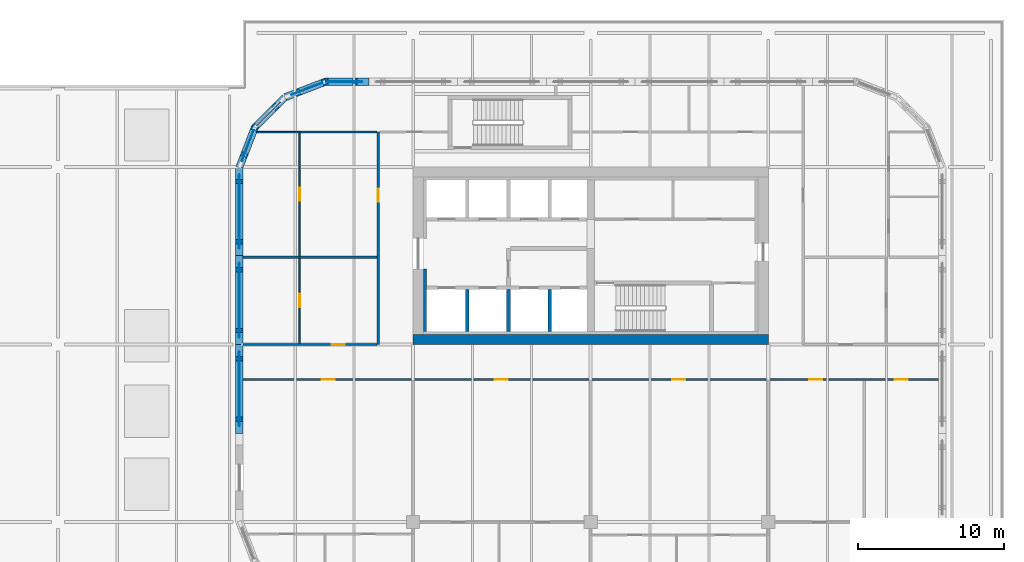
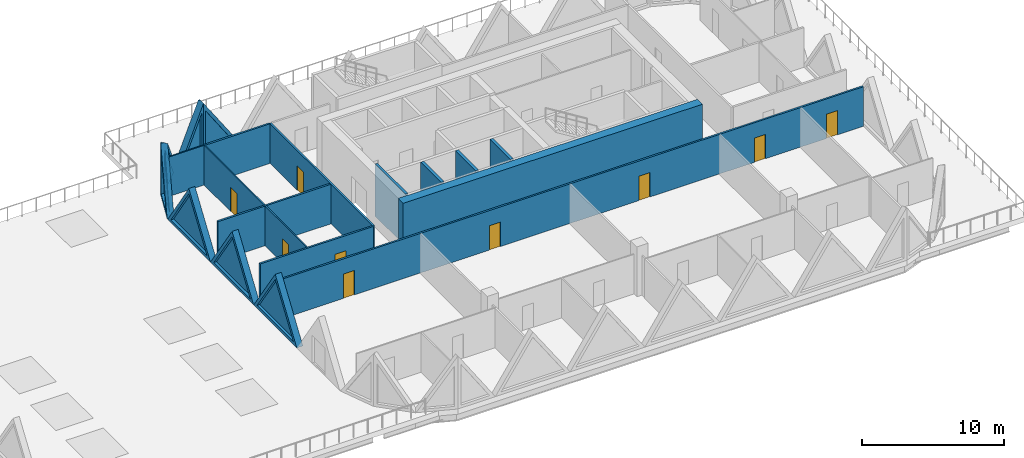
# One storey, part 14 of 21: 20 walls, 9 doors, 7 plates, 16 openings.
"""IFC4 building model written with IfcOpenShell, lengths in metres."""

from ifc_helpers import new_model, si_unit, direction, frame, frame_2d, origin, place, context, subcontext, project, spatial, polyline, rectangle, outline, extrude, faceted_brep, source, transform, mapped, material, layer, layer_set, type_object, element, fill, save


model = new_model("IFC4")

# Units and contexts
model_context = context("Model", 3, precision=1e-05, world=origin(), true_north=direction((0.0, 1.0)))
body_context = subcontext(model_context, "Body", "Model", "MODEL_VIEW")
ifc_project = project(units=[si_unit("LENGTHUNIT", "METRE"), si_unit("AREAUNIT", "SQUARE_METRE"), si_unit("VOLUMEUNIT", "CUBIC_METRE"), si_unit("PLANEANGLEUNIT", "RADIAN"), si_unit("MASSUNIT", "GRAM", prefix="KILO")], contexts=[model_context])

# Site, building, storey
site_placement = place(None, origin())
site = spatial("IfcSite", under=ifc_project, at=site_placement, CompositionType="ELEMENT")
building_placement = place(site_placement, origin())
building = spatial("IfcBuilding", under=site, at=building_placement, Name="Tessera Gate Towers", CompositionType="ELEMENT")
storey_placement = place(building_placement, frame((0.0, 0.0, 16.800048828125)))
storey = spatial("IfcBuildingStorey", under=building, at=storey_placement, Name="L03", CompositionType="ELEMENT", Elevation=16.800048828125)

# Walls
ifc_material_1 = material(Name="Concrete C40/50", Category="concrete")
ifc_layer_1 = layer(ifc_material_1, 0.25)
ifc_layer_set_1 = layer_set([ifc_layer_1], Name="CORE ENCLOSURE WALL 250")
wall_type_1 = type_object("IfcWallType", Name="CORE ENCLOSURE WALL 250", PredefinedType="SOLIDWALL", material=ifc_layer_set_1)
for number, where, z_axis, x_axis, name in (
    (1, (104.14990234375, 37.5, 0.0), (0.0, 0.0, 1.0), (0.0, 1.0, 0.0), "L03 shaft and stair enclosure wall"),
    (2, (101.324951171875, 37.5, 0.0), (0.0, 0.0, 1.0), (0.0, 1.0, 0.0), "L03 shaft and stair enclosure wall"),
    (3, (106.97509765625, 37.5, 0.0), (0.0, 0.0, 1.0), (0.0, 1.0, 0.0), "L03 shaft and stair enclosure wall"),
):
    element("IfcWall", number, at=place(storey_placement, frame(where, z_axis=z_axis, x_axis=x_axis)), inside=storey, type_object=wall_type_1, Name=name, PredefinedType="SOLIDWALL", context=body_context, shape_type="SweptSolid", body=[
        extrude(rectangle(XDim=2.875, YDim=0.25, at=frame_2d((1.4375, 0.0))), origin(), (0.0, 0.0, 1.0), 4.5),
    ])
ifc_material_2 = material(Name="Concrete C60/75", Category="concrete")
ifc_layer_2 = layer(ifc_material_2, 0.699951171875)
ifc_layer_set_2 = layer_set([ifc_layer_2], Name="CORE SHEAR WALL 700 C60/75")
wall_type_2 = type_object("IfcWallType", Name="CORE SHEAR WALL 700 C60/75", PredefinedType="SHEAR", material=ifc_layer_set_2)
wall_1_placement = place(storey_placement, frame((122.0, 36.949951171875, 0.0), z_axis=(0.0, 0.0, 1.0), x_axis=(-1.0, 0.0, 0.0)))
element("IfcWall", 4, at=wall_1_placement, inside=storey, type_object=wall_type_2, Name="Core wall S L03", PredefinedType="SHEAR", context=body_context, shape_type="SweptSolid", body=[
    extrude(rectangle(XDim=24.39990234375, YDim=0.699951171875, at=frame_2d((12.199951171875, 0.0))), origin(), (0.0, 0.0, 1.0), 4.5),
])
ifc_material_3 = material(Name="Concrete C60/75", Category="concrete")
ifc_layer_3 = layer(ifc_material_3, 0.199951171875)
ifc_layer_set_3 = layer_set([ifc_layer_3], Name="CORE WALL THICKENING 200")
wall_type_3 = type_object("IfcWallType", Name="CORE WALL THICKENING 200", PredefinedType="SOLIDWALL", material=ifc_layer_set_3)
wall_2_placement = place(storey_placement, frame((98.39990234375, 37.5, 0.0), z_axis=(0.0, 0.0, 1.0), x_axis=(0.0, 1.0, 0.0)))
element("IfcWall", 5, at=wall_2_placement, inside=storey, type_object=wall_type_3, Name="Core wall thickening W L03", PredefinedType="SOLIDWALL", context=body_context, shape_type="SweptSolid", body=[
    extrude(rectangle(XDim=4.300048828125, YDim=0.199951171875, at=frame_2d((2.14990234375, 0.0))), origin(), (0.0, 0.0, 1.0), 4.5),
])

# Wall, openings, doors
ifc_material_4 = material(Name="Gypsum board on steel studs, mineral wool", Category="steel")
ifc_layer_4 = layer(ifc_material_4, 0.14990234375)
ifc_layer_set_4 = layer_set([ifc_layer_4], Name="CORRIDOR WALL 150")
wall_type_4 = type_object("IfcWallType", Name="CORRIDOR WALL 150", PredefinedType="PARTITIONING", material=ifc_layer_set_4)
wall_3_placement = place(storey_placement, frame((133.699951171875, 34.199951171875, 0.0), z_axis=(0.0, 0.0, 1.0), x_axis=(-1.0, 0.0, 0.0)))
wall_3 = element("IfcWall", 6, at=wall_3_placement, inside=storey, type_object=wall_type_4, Name="T2-L03-PW-022", PredefinedType="PARTITIONING", context=body_context, shape_type="SweptSolid", body=[
    extrude(rectangle(XDim=47.800048828125, YDim=0.14990234375, at=frame_2d((23.89990234375, 0.0))), origin(), (0.0, 0.0, 1.0), 3.4150390625),
])
shared_shape_1 = source(origin(), body_context, "Body", "SweptSolid", [
    extrude(rectangle(XDim=0.89990234375, YDim=2.10009765625, at=frame_2d((0.449951171875, 1.050048828125))), frame((0.0, 0.0849609375, 0.0), z_axis=(0.0, -1.0, 0.0), x_axis=(1.0, 0.0, 0.0)), (0.0, 0.0, 1.0), 0.169921875),
])
opening_1_placement = place(wall_3_placement, frame((2.09912109375, 0.0, 0.0)))
opening_1 = element("IfcOpeningElement", 7, at=opening_1_placement, cuts=wall_3, Name="Opening D890FD60-B01-01", PredefinedType="OPENING", context=body_context, shape_type="MappedRepresentation", body=[
    mapped(shared_shape_1, transform((0.0, 0.0, 0.0), scale=1.0)),
])
opening_2_placement = place(wall_3_placement, frame((7.9990234375, 0.0, 0.0)))
opening_2 = element("IfcOpeningElement", 8, at=opening_2_placement, cuts=wall_3, Name="Opening D890FD60-B01-02", PredefinedType="OPENING", context=body_context, shape_type="MappedRepresentation", body=[
    mapped(shared_shape_1, transform((0.0, 0.0, 0.0), scale=1.0)),
])
opening_3_placement = place(wall_3_placement, frame((41.5, 0.0, 0.0)))
opening_3 = element("IfcOpeningElement", 9, at=opening_3_placement, cuts=wall_3, Name="Opening D890FD60-B01-09", PredefinedType="OPENING", context=body_context, shape_type="MappedRepresentation", body=[
    mapped(shared_shape_1, transform((0.0, 0.0, 0.0), scale=1.0)),
])
opening_4_placement = place(wall_3_placement, frame((17.39892578125, 0.0, 0.0)))
opening_4 = element("IfcOpeningElement", 10, at=opening_4_placement, cuts=wall_3, Name="Opening D890FD60-B01-10", PredefinedType="OPENING", context=body_context, shape_type="MappedRepresentation", body=[
    mapped(shared_shape_1, transform((0.0, 0.0, 0.0), scale=1.0)),
])
opening_5_placement = place(wall_3_placement, frame((29.60009765625, 0.0, 0.0)))
opening_5 = element("IfcOpeningElement", 11, at=opening_5_placement, cuts=wall_3, Name="Opening D890FD60-B01-11", PredefinedType="OPENING", context=body_context, shape_type="MappedRepresentation", body=[
    mapped(shared_shape_1, transform((0.0, 0.0, 0.0), scale=1.0)),
])
ifc_material_5 = material(Name="Timber door leaf in steel frame", Category="steel")
door_type_1 = type_object("IfcDoorType", Name="CORRIDOR DOOR 900 FD60", OperationType="NOTDEFINED", PredefinedType="DOOR", material=ifc_material_5)
shared_shape_2 = source(origin(), body_context, "Body", "SweptSolid", [
    extrude(rectangle(XDim=0.89990234375, YDim=2.10009765625, at=frame_2d((0.449951171875, 1.050048828125))), frame((0.0, 0.02490234375, 0.0), z_axis=(0.0, -1.0, 0.0), x_axis=(1.0, 0.0, 0.0)), (0.0, 0.0, 1.0), 0.050048828125),
])
door_1_placement = place(opening_1_placement, origin())
door_1 = element("IfcDoor", 12, at=door_1_placement, inside=storey, type_object=door_type_1, Name="T2-L03-PD-004", OperationType="SINGLE_SWING_RIGHT", OverallHeight=2.10009765625, OverallWidth=0.89990234375, PredefinedType="DOOR", context=body_context, shape_type="MappedRepresentation", body=[
    mapped(shared_shape_2, transform((0.0, 0.0, 0.0), scale=1.0)),
])
fill(opening_1, door_1)
door_2_placement = place(opening_2_placement, origin())
door_2 = element("IfcDoor", 13, at=door_2_placement, inside=storey, type_object=door_type_1, Name="T2-L03-PD-014", OperationType="SINGLE_SWING_RIGHT", OverallHeight=2.10009765625, OverallWidth=0.89990234375, PredefinedType="DOOR", context=body_context, shape_type="MappedRepresentation", body=[
    mapped(shared_shape_2, transform((0.0, 0.0, 0.0), scale=1.0)),
])
fill(opening_2, door_2)
door_3_placement = place(opening_3_placement, origin())
door_3 = element("IfcDoor", 14, at=door_3_placement, inside=storey, type_object=door_type_1, Name="T2-L03-PD-023", OperationType="SINGLE_SWING_RIGHT", OverallHeight=2.10009765625, OverallWidth=0.89990234375, PredefinedType="DOOR", context=body_context, shape_type="MappedRepresentation", body=[
    mapped(shared_shape_2, transform((0.0, 0.0, 0.0), scale=1.0)),
])
fill(opening_3, door_3)
door_4_placement = place(opening_4_placement, origin())
door_4 = element("IfcDoor", 15, at=door_4_placement, inside=storey, type_object=door_type_1, Name="T2-L03-PD-024", OperationType="SINGLE_SWING_RIGHT", OverallHeight=2.10009765625, OverallWidth=0.89990234375, PredefinedType="DOOR", context=body_context, shape_type="MappedRepresentation", body=[
    mapped(shared_shape_2, transform((0.0, 0.0, 0.0), scale=1.0)),
])
fill(opening_4, door_4)
door_5_placement = place(opening_5_placement, origin())
door_5 = element("IfcDoor", 16, at=door_5_placement, inside=storey, type_object=door_type_1, Name="T2-L03-PD-025", OperationType="SINGLE_SWING_RIGHT", OverallHeight=2.10009765625, OverallWidth=0.89990234375, PredefinedType="DOOR", context=body_context, shape_type="MappedRepresentation", body=[
    mapped(shared_shape_2, transform((0.0, 0.0, 0.0), scale=1.0)),
])
fill(opening_5, door_5)

# Wall, opening, door
wall_4_placement = place(storey_placement, frame((85.89990234375, 36.60009765625, 0.0), z_axis=(0.0, 0.0, 1.0), x_axis=(1.0, 0.0, 0.0)))
wall_4 = element("IfcWall", 17, at=wall_4_placement, inside=storey, type_object=wall_type_4, Name="T2-L03-PW-023", PredefinedType="PARTITIONING", context=body_context, shape_type="SweptSolid", body=[
    extrude(rectangle(XDim=9.22412109375, YDim=0.14990234375, at=frame_2d((4.612060546875, 0.0))), origin(), (0.0, 0.0, 1.0), 3.4150390625),
])
opening_6_placement = place(wall_4_placement, frame((6.10009765625, 0.0, 0.0)))
opening_6 = element("IfcOpeningElement", 18, at=opening_6_placement, cuts=wall_4, Name="Opening D890FD60-B01-07", PredefinedType="OPENING", context=body_context, shape_type="MappedRepresentation", body=[
    mapped(shared_shape_1, transform((0.0, 0.0, 0.0), scale=1.0)),
])
door_6_placement = place(opening_6_placement, origin())
door_6 = element("IfcDoor", 19, at=door_6_placement, inside=storey, type_object=door_type_1, Name="T2-L03-PD-021", OperationType="SINGLE_SWING_LEFT", OverallHeight=2.10009765625, OverallWidth=0.89990234375, PredefinedType="DOOR", context=body_context, shape_type="MappedRepresentation", body=[
    mapped(shared_shape_2, transform((0.0, 0.0, 0.0), scale=1.0)),
])
fill(opening_6, door_6)

wall_5_placement = place(storey_placement, frame((95.199951171875, 36.60009765625, 0.0), z_axis=(0.0, 0.0, 1.0), x_axis=(0.0, 1.0, 0.0)))
wall_5 = element("IfcWall", 20, at=wall_5_placement, inside=storey, type_object=wall_type_4, Name="T2-L03-PW-024", PredefinedType="PARTITIONING", context=body_context, shape_type="SweptSolid", body=[
    extrude(rectangle(XDim=14.599853515625, YDim=0.14990234375, at=frame_2d((7.2998046875, 0.0))), origin(), (0.0, 0.0, 1.0), 3.4150390625),
])
opening_7_placement = place(wall_5_placement, frame((9.800048828125, 0.0, 0.0)))
opening_7 = element("IfcOpeningElement", 21, at=opening_7_placement, cuts=wall_5, Name="Opening D890FD60-B01-05", PredefinedType="OPENING", context=body_context, shape_type="MappedRepresentation", body=[
    mapped(shared_shape_1, transform((0.0, 0.0, 0.0), scale=1.0)),
])
door_7_placement = place(opening_7_placement, origin())
door_7 = element("IfcDoor", 22, at=door_7_placement, inside=storey, type_object=door_type_1, Name="T2-L03-PD-019", OperationType="SINGLE_SWING_LEFT", OverallHeight=2.10009765625, OverallWidth=0.89990234375, PredefinedType="DOOR", context=body_context, shape_type="MappedRepresentation", body=[
    mapped(shared_shape_2, transform((0.0, 0.0, 0.0), scale=1.0)),
])
fill(opening_7, door_7)

ifc_material_6 = material(Name="Glass", Category="glass")
ifc_layer_5 = layer(ifc_material_6, 0.10009765625)
ifc_layer_set_5 = layer_set([ifc_layer_5], Name="GLAZED PARTITION 100")
wall_type_5 = type_object("IfcWallType", Name="GLAZED PARTITION 100", PredefinedType="PARTITIONING", material=ifc_layer_set_5)
wall_6_placement = place(storey_placement, frame((89.800048828125, 36.676025390625, 0.0), z_axis=(0.0, 0.0, 1.0), x_axis=(0.0, 1.0, 0.0)))
wall_6 = element("IfcWall", 23, at=wall_6_placement, inside=storey, type_object=wall_type_5, Name="T2-L03-PW-027", PredefinedType="PARTITIONING", context=body_context, shape_type="SweptSolid", body=[
    extrude(rectangle(XDim=5.847900390625, YDim=0.10009765625, at=frame_2d((2.923828125, 0.0))), origin(), (0.0, 0.0, 1.0), 3.4150390625),
])
shared_shape_3 = source(origin(), body_context, "Body", "SweptSolid", [
    extrude(rectangle(XDim=0.89990234375, YDim=2.10009765625, at=frame_2d((0.449951171875, 1.050048828125))), frame((0.0, 0.06005859375, 0.0), z_axis=(0.0, -1.0, 0.0), x_axis=(1.0, 0.0, 0.0)), (0.0, 0.0, 1.0), 0.1201171875),
])
opening_8_placement = place(wall_6_placement, frame((2.5, 0.0, 0.0)))
opening_8 = element("IfcOpeningElement", 24, at=opening_8_placement, cuts=wall_6, Name="Opening D690-B01-04", PredefinedType="OPENING", context=body_context, shape_type="MappedRepresentation", body=[
    mapped(shared_shape_3, transform((0.0, 0.0, 0.0), scale=1.0)),
])
ifc_material_7 = material(Name="Glass in aluminium frame", Category="aluminium")
door_type_2 = type_object("IfcDoorType", Name="GLAZED DOOR 900 NOT RATED", OperationType="NOTDEFINED", PredefinedType="DOOR", material=ifc_material_7)
door_8_placement = place(opening_8_placement, origin())
door_8 = element("IfcDoor", 25, at=door_8_placement, inside=storey, type_object=door_type_2, Name="T2-L03-PD-009", OperationType="SINGLE_SWING_LEFT", OverallHeight=2.10009765625, OverallWidth=0.89990234375, PredefinedType="DOOR", context=body_context, shape_type="MappedRepresentation", body=[
    mapped(shared_shape_2, transform((0.0, 0.0, 0.0), scale=1.0)),
])
fill(opening_8, door_8)

wall_7_placement = place(storey_placement, frame((89.800048828125, 42.676025390625, 0.0), z_axis=(0.0, 0.0, 1.0), x_axis=(0.0, 1.0, 0.0)))
wall_7 = element("IfcWall", 26, at=wall_7_placement, inside=storey, type_object=wall_type_5, Name="T2-L03-PW-032", PredefinedType="PARTITIONING", context=body_context, shape_type="SweptSolid", body=[
    extrude(rectangle(XDim=8.447998046875, YDim=0.10009765625, at=frame_2d((4.22412109375, 0.0))), origin(), (0.0, 0.0, 1.0), 3.4150390625),
])
opening_9_placement = place(wall_7_placement, frame((3.800048828125, 0.0, 0.0)))
opening_9 = element("IfcOpeningElement", 27, at=opening_9_placement, cuts=wall_7, Name="Opening D690-B01-07", PredefinedType="OPENING", context=body_context, shape_type="MappedRepresentation", body=[
    mapped(shared_shape_3, transform((0.0, 0.0, 0.0), scale=1.0)),
])
door_9_placement = place(opening_9_placement, origin())
door_9 = element("IfcDoor", 28, at=door_9_placement, inside=storey, type_object=door_type_2, Name="T2-L03-PD-018", OperationType="SINGLE_SWING_LEFT", OverallHeight=2.10009765625, OverallWidth=0.89990234375, PredefinedType="DOOR", context=body_context, shape_type="MappedRepresentation", body=[
    mapped(shared_shape_2, transform((0.0, 0.0, 0.0), scale=1.0)),
])
fill(opening_9, door_9)

# Walls
wall_8_placement = place(storey_placement, frame((86.86181640625, 51.199951171875, 0.0), z_axis=(0.0, 0.0, 1.0), x_axis=(1.0, 0.0, 0.0)))
element("IfcWall", 29, at=wall_8_placement, inside=storey, type_object=wall_type_5, Name="T2-L03-PW-035", PredefinedType="PARTITIONING", context=body_context, shape_type="SweptSolid", body=[
    extrude(rectangle(XDim=2.937255859375, YDim=0.10009765625, at=frame_2d((1.46875, 0.0))), origin(), (0.0, 0.0, 1.0), 3.4150390625),
])
ifc_material_8 = material(Name="Gypsum board on steel studs, mineral wool", Category="steel")
ifc_layer_6 = layer(ifc_material_8, 0.14990234375)
ifc_layer_set_6 = layer_set([ifc_layer_6], Name="TENANCY WALL 150")
wall_type_6 = type_object("IfcWallType", Name="TENANCY WALL 150", PredefinedType="PARTITIONING", material=ifc_layer_set_6)
wall_9_placement = place(storey_placement, frame((85.89990234375, 42.60009765625, 0.0), z_axis=(0.0, 0.0, 1.0), x_axis=(1.0, 0.0, 0.0)))
element("IfcWall", 30, at=wall_9_placement, inside=storey, type_object=wall_type_6, Name="T2-L03-PW-029", PredefinedType="PARTITIONING", context=body_context, shape_type="SweptSolid", body=[
    extrude(rectangle(XDim=9.22412109375, YDim=0.14990234375, at=frame_2d((4.612060546875, 0.0))), origin(), (0.0, 0.0, 1.0), 3.4150390625),
])
wall_10_placement = place(storey_placement, frame((89.800048828125, 51.199951171875, 0.0), z_axis=(0.0, 0.0, 1.0), x_axis=(1.0, 0.0, 0.0)))
element("IfcWall", 31, at=wall_10_placement, inside=storey, type_object=wall_type_6, Name="T2-L03-PW-036", PredefinedType="PARTITIONING", context=body_context, shape_type="SweptSolid", body=[
    extrude(rectangle(XDim=5.323974609375, YDim=0.14990234375, at=frame_2d((2.662109375, 0.0))), origin(), (0.0, 0.0, 1.0), 3.4150390625),
])

# Wall, opening, plate
ifc_material_9 = material(Name="Precast concrete C60/75 white", Category="concrete")
ifc_layer_7 = layer(ifc_material_9, 0.5)
ifc_layer_set_7 = layer_set([ifc_layer_7], Name="TS2 half tessera")
wall_type_7 = type_object("IfcWallType", Name="TS2 half tessera", PredefinedType="SOLIDWALL", material=ifc_layer_set_7)
shared_shape_4 = source(origin(), body_context, "Body", "Brep", [
    faceted_brep([(6.099853515625, -0.25, 0.000244140625), (3.050048828125, -0.25, 4.5), (0.0, -0.25, 0.0), (6.099853515625, -0.25, 0.0), (0.0, 0.25, 0.0), (3.050048828125, 0.25, 4.5), (6.099853515625, 0.25, 0.000244140625), (6.099853515625, 0.25, 0.0)], [[[0, 1, 2, 3]], [[4, 5, 6, 7]], [[6, 5, 1, 0]], [[5, 4, 2, 1]], [[4, 7, 3, 2]], [[3, 7, 6, 0]]]),
])
wall_11_placement = place(storey_placement, frame((85.64990234375, 42.699951171875, 0.0), z_axis=(0.0, 0.0, 1.0), x_axis=(0.0, -1.0, 0.0)))
wall_11 = element("IfcWall", 32, at=wall_11_placement, inside=storey, type_object=wall_type_7, Name="Precast half tessera T2 TS2-0016", PredefinedType="SOLIDWALL", context=body_context, shape_type="MappedRepresentation", body=[
    mapped(shared_shape_4, transform((0.0, 0.0, 0.0), scale=1.0)),
])
shared_shape_5 = source(origin(), body_context, "Body", "SweptSolid", [
    extrude(outline(polyline([(5.628662109375, 0.25), (3.050048828125, 4.054443359375), (0.471435546875, 0.25), (5.628662109375, 0.25)])), frame((0.0, 0.260009765625, 0.0), z_axis=(0.0, -1.0, 0.0), x_axis=(1.0, 0.0, 0.0)), (0.0, 0.0, 1.0), 0.52001953125),
])
opening_10_placement = place(wall_11_placement, origin())
opening_10 = element("IfcOpeningElement", 33, at=opening_10_placement, cuts=wall_11, Name="Opening T2-PL1-0030", PredefinedType="OPENING", context=body_context, shape_type="MappedRepresentation", body=[
    mapped(shared_shape_5, transform((0.0, 0.0, 0.0), scale=1.0)),
])
ifc_material_10 = material(Name="Low-e laminated glass", Category="glass")
ifc_layer_8 = layer(ifc_material_10, 0.06005859375)
ifc_layer_set_8 = layer_set([ifc_layer_8], Name="PL1 triangular pane")
plate_type = type_object("IfcPlateType", Name="PL1 triangular pane", PredefinedType="SHEET", material=ifc_layer_set_8)
shared_shape_6 = source(origin(), body_context, "Body", "SweptSolid", [
    extrude(outline(polyline([(5.628662109375, 0.25), (3.050048828125, 4.054443359375), (0.471435546875, 0.25), (5.628662109375, 0.25)])), frame((0.0, 0.030029296875, 0.0), z_axis=(0.0, -1.0, 0.0), x_axis=(1.0, 0.0, 0.0)), (0.0, 0.0, 1.0), 0.06005859375),
])
plate_1_placement = place(opening_10_placement, origin())
plate_1 = element("IfcPlate", 34, at=plate_1_placement, inside=storey, type_object=plate_type, Name="Glass pane T2 PL1-0030", PredefinedType="SHEET", context=body_context, shape_type="MappedRepresentation", body=[
    mapped(shared_shape_6, transform((0.0, 0.0, 0.0), scale=1.0)),
])
fill(opening_10, plate_1)

shared_shape_7 = source(origin(), body_context, "Body", "SweptSolid", [
    extrude(outline(polyline([(6.10009765625, 0.0), (3.050048828125, 4.5), (0.0, 0.0), (6.10009765625, 0.0)])), frame((0.0, 0.25, 0.0), z_axis=(0.0, -1.0, 0.0), x_axis=(1.0, 0.0, 0.0)), (0.0, 0.0, 1.0), 0.5),
])
wall_12_placement = place(storey_placement, frame((85.64990234375, 36.60009765625, 0.0), z_axis=(0.0, 0.0, 1.0), x_axis=(0.0, -1.0, 0.0)))
wall_12 = element("IfcWall", 35, at=wall_12_placement, inside=storey, type_object=wall_type_7, Name="Precast half tessera T2 TS2-0017", PredefinedType="SOLIDWALL", context=body_context, shape_type="MappedRepresentation", body=[
    mapped(shared_shape_7, transform((0.0, 0.0, 0.0), scale=1.0)),
])
opening_11_placement = place(wall_12_placement, origin())
opening_11 = element("IfcOpeningElement", 36, at=opening_11_placement, cuts=wall_12, Name="Opening T2-PL1-0031", PredefinedType="OPENING", context=body_context, shape_type="MappedRepresentation", body=[
    mapped(shared_shape_5, transform((0.0, 0.0, 0.0), scale=1.0)),
])
plate_2_placement = place(opening_11_placement, origin())
plate_2 = element("IfcPlate", 37, at=plate_2_placement, inside=storey, type_object=plate_type, Name="Glass pane T2 PL1-0031", PredefinedType="SHEET", context=body_context, shape_type="MappedRepresentation", body=[
    mapped(shared_shape_6, transform((0.0, 0.0, 0.0), scale=1.0)),
])
fill(opening_11, plate_2)

ifc_material_11 = material(Name="Precast concrete C60/75 white", Category="concrete")
ifc_layer_9 = layer(ifc_material_11, 0.5)
ifc_layer_set_9 = layer_set([ifc_layer_9], Name="TS3 corner tessera")
wall_type_8 = type_object("IfcWallType", Name="TS3 corner tessera", PredefinedType="SOLIDWALL", material=ifc_layer_set_9)
shared_shape_8 = source(origin(), body_context, "Body", "Brep", [
    faceted_brep([(3.050048828125, -0.25, 4.428955078125), (3.00341796875, -0.25, 4.5), (0.0, -0.25, 0.0), (3.050048828125, -0.25, 0.0), (0.0, 0.25, 0.0), (2.956787109375, 0.25, 4.430419921875), (2.956787109375, 0.25, 0.0), (3.00341796875, 0.000244140625, 4.5)], [[[0, 1, 2, 3]], [[4, 5, 6]], [[7, 1, 0]], [[5, 4, 2, 1, 7]], [[4, 6, 3, 2]], [[3, 6, 5, 7, 0]]]),
])
wall_13_placement = place(storey_placement, frame((94.550048828125, 54.64990234375, 0.0), z_axis=(0.0, 0.0, 1.0), x_axis=(-1.0, 0.0, 0.0)))
wall_13 = element("IfcWall", 38, at=wall_13_placement, inside=storey, type_object=wall_type_8, Name="Precast corner tessera T2 TS3-0011", PredefinedType="SOLIDWALL", context=body_context, shape_type="MappedRepresentation", body=[
    mapped(shared_shape_8, transform((0.0, 0.0, 0.0), scale=1.0)),
])
shared_shape_9 = source(origin(), body_context, "Body", "SweptSolid", [
    extrude(outline(polyline([(2.803466796875, 3.75), (0.467529296875, 0.25), (2.803466796875, 0.25), (2.803466796875, 3.75)])), frame((0.0, 0.260009765625, 0.0), z_axis=(0.0, -1.0, 0.0), x_axis=(1.0, 0.0, 0.0)), (0.0, 0.0, 1.0), 0.52001953125),
])
opening_12_placement = place(wall_13_placement, origin())
opening_12 = element("IfcOpeningElement", 39, at=opening_12_placement, cuts=wall_13, Name="Opening T2-PL1-0025", PredefinedType="OPENING", context=body_context, shape_type="MappedRepresentation", body=[
    mapped(shared_shape_9, transform((0.0, 0.0, 0.0), scale=1.0)),
])
shared_shape_10 = source(origin(), body_context, "Body", "SweptSolid", [
    extrude(outline(polyline([(2.803466796875, 3.75), (0.467529296875, 0.25), (2.803466796875, 0.25), (2.803466796875, 3.75)])), frame((0.0, 0.030029296875, 0.0), z_axis=(0.0, -1.0, 0.0), x_axis=(1.0, 0.0, 0.0)), (0.0, 0.0, 1.0), 0.06005859375),
])
plate_3_placement = place(opening_12_placement, origin())
plate_3 = element("IfcPlate", 40, at=plate_3_placement, inside=storey, type_object=plate_type, Name="Glass pane T2 PL1-0025", PredefinedType="SHEET", context=body_context, shape_type="MappedRepresentation", body=[
    mapped(shared_shape_10, transform((0.0, 0.0, 0.0), scale=1.0)),
])
fill(opening_12, plate_3)

shared_shape_11 = source(origin(), body_context, "Body", "Brep", [
    faceted_brep([(2.9970703125, -0.25, 4.419189453125), (2.944091796875, -0.25, 4.5), (0.0, -0.25, 0.0), (2.9970703125, -0.25, 0.0), (0.052978515625, 0.25, 0.080810546875), (2.89111328125, 0.25, 4.419189453125), (2.89111328125, 0.25, 0.0), (0.052978515625, 0.25, 0.0), (2.944091796875, 0.000244140625, 4.5), (0.0, 0.0, 0.0)], [[[0, 1, 2, 3]], [[4, 5, 6, 7]], [[8, 1, 0]], [[5, 4, 9, 2, 1, 8]], [[7, 6, 3, 2, 9]], [[7, 9, 4]], [[3, 6, 5, 8, 0]]]),
])
wall_14_placement = place(storey_placement, frame((88.793701171875, 53.588134765625, 0.0), z_axis=(0.0, 0.0, 1.0), x_axis=(-0.707066050402, -0.707147509625, 0.0)))
wall_14 = element("IfcWall", 41, at=wall_14_placement, inside=storey, type_object=wall_type_8, Name="Precast corner tessera T2 TS3-0013", PredefinedType="SOLIDWALL", context=body_context, shape_type="MappedRepresentation", body=[
    mapped(shared_shape_11, transform((0.0, 0.0, 0.0), scale=1.0)),
])
shared_shape_12 = source(origin(), body_context, "Body", "SweptSolid", [
    extrude(outline(polyline([(2.744140625, 3.737548828125), (0.46240234375, 0.25), (2.744140625, 0.25), (2.744140625, 3.737548828125)])), frame((0.0, 0.260009765625, 0.0), z_axis=(0.0, -1.0, 0.0), x_axis=(1.0, 0.0, 0.0)), (0.0, 0.0, 1.0), 0.52001953125),
])
opening_13_placement = place(wall_14_placement, origin())
opening_13 = element("IfcOpeningElement", 42, at=opening_13_placement, cuts=wall_14, Name="Opening T2-PL1-0027", PredefinedType="OPENING", context=body_context, shape_type="MappedRepresentation", body=[
    mapped(shared_shape_12, transform((0.0, 0.0, 0.0), scale=1.0)),
])
shared_shape_13 = source(origin(), body_context, "Body", "SweptSolid", [
    extrude(outline(polyline([(2.744140625, 3.737548828125), (0.46240234375, 0.25), (2.744140625, 0.25), (2.744140625, 3.737548828125)])), frame((0.0, 0.030029296875, 0.0), z_axis=(0.0, -1.0, 0.0), x_axis=(1.0, 0.0, 0.0)), (0.0, 0.0, 1.0), 0.06005859375),
])
plate_4_placement = place(opening_13_placement, origin())
plate_4 = element("IfcPlate", 43, at=plate_4_placement, inside=storey, type_object=plate_type, Name="Glass pane T2 PL1-0027", PredefinedType="SHEET", context=body_context, shape_type="MappedRepresentation", body=[
    mapped(shared_shape_13, transform((0.0, 0.0, 0.0), scale=1.0)),
])
fill(opening_13, plate_4)

shared_shape_14 = source(origin(), body_context, "Body", "Brep", [
    faceted_brep([(6.053466796875, -0.25, 0.0), (3.00341796875, -0.25, 4.5), (0.0, -0.25, 0.0), (0.046630859375, 0.25, 0.06982421875), (3.00341796875, 0.25, 4.5), (6.053466796875, 0.25, 0.0), (0.046630859375, 0.25, 0.0), (0.0, 0.0, 0.0)], [[[0, 1, 2]], [[3, 4, 5, 6]], [[5, 4, 1, 0]], [[4, 3, 7, 2, 1]], [[6, 5, 0, 2, 7]], [[6, 7, 3]]]),
])
wall_15_placement = place(storey_placement, frame((85.64990234375, 48.75341796875, 0.0), z_axis=(0.0, 0.0, 1.0), x_axis=(0.0, -1.0, 0.0)))
wall_15 = element("IfcWall", 44, at=wall_15_placement, inside=storey, type_object=wall_type_7, Name="Precast half tessera T2 TS2-0015", PredefinedType="SOLIDWALL", context=body_context, shape_type="MappedRepresentation", body=[
    mapped(shared_shape_14, transform((0.0, 0.0, 0.0), scale=1.0)),
])
shared_shape_15 = source(origin(), body_context, "Body", "SweptSolid", [
    extrude(outline(polyline([(5.58203125, 0.25), (3.005126953125, 4.052001953125), (0.467529296875, 0.25), (5.58203125, 0.25)])), frame((0.0, 0.260009765625, 0.0), z_axis=(0.0, -1.0, 0.0), x_axis=(1.0, 0.0, 0.0)), (0.0, 0.0, 1.0), 0.52001953125),
])
opening_14_placement = place(wall_15_placement, origin())
opening_14 = element("IfcOpeningElement", 45, at=opening_14_placement, cuts=wall_15, Name="Opening T2-PL1-0029", PredefinedType="OPENING", context=body_context, shape_type="MappedRepresentation", body=[
    mapped(shared_shape_15, transform((0.0, 0.0, 0.0), scale=1.0)),
])
shared_shape_16 = source(origin(), body_context, "Body", "SweptSolid", [
    extrude(outline(polyline([(5.58203125, 0.25), (3.005126953125, 4.052001953125), (0.467529296875, 0.25), (5.58203125, 0.25)])), frame((0.0, 0.030029296875, 0.0), z_axis=(0.0, -1.0, 0.0), x_axis=(1.0, 0.0, 0.0)), (0.0, 0.0, 1.0), 0.06005859375),
])
plate_5_placement = place(opening_14_placement, origin())
plate_5 = element("IfcPlate", 46, at=plate_5_placement, inside=storey, type_object=plate_type, Name="Glass pane T2 PL1-0029", PredefinedType="SHEET", context=body_context, shape_type="MappedRepresentation", body=[
    mapped(shared_shape_16, transform((0.0, 0.0, 0.0), scale=1.0)),
])
fill(opening_14, plate_5)

shared_shape_17 = source(origin(), body_context, "Body", "Brep", [
    faceted_brep([(3.00341796875, -0.25, 0.0), (0.052978515625, -0.25, 4.5), (0.0, -0.25, 4.419189453125), (0.0, -0.25, 0.0), (0.10595703125, 0.25, 4.419189453125), (2.95703125, 0.25, 0.07080078125), (2.95703125, 0.25, 0.0), (0.10595703125, 0.25, 0.0), (0.052978515625, 0.0, 4.5), (3.00341796875, 0.00048828125, 0.0)], [[[0, 1, 2, 3]], [[4, 5, 6, 7]], [[5, 4, 8, 1, 0, 9]], [[2, 1, 8]], [[7, 6, 9, 0, 3]], [[7, 3, 2, 8, 4]], [[9, 6, 5]]]),
])
wall_16_placement = place(storey_placement, frame((86.73095703125, 51.5556640625, 0.0), z_axis=(0.0, 0.0, 1.0), x_axis=(-0.359855894603, -0.933007896601, 0.0)))
wall_16 = element("IfcWall", 47, at=wall_16_placement, inside=storey, type_object=wall_type_8, Name="Precast corner tessera T2 TS3-0014", PredefinedType="SOLIDWALL", context=body_context, shape_type="MappedRepresentation", body=[
    mapped(shared_shape_17, transform((0.0, 0.0, 0.0), scale=1.0)),
])
shared_shape_18 = source(origin(), body_context, "Body", "SweptSolid", [
    extrude(outline(polyline([(2.54052734375, 0.25), (0.2529296875, 3.739013671875), (0.2529296875, 0.25), (2.54052734375, 0.25)])), frame((0.0, 0.260009765625, 0.0), z_axis=(0.0, -1.0, 0.0), x_axis=(1.0, 0.0, 0.0)), (0.0, 0.0, 1.0), 0.52001953125),
])
opening_15_placement = place(wall_16_placement, origin())
opening_15 = element("IfcOpeningElement", 48, at=opening_15_placement, cuts=wall_16, Name="Opening T2-PL1-0028", PredefinedType="OPENING", context=body_context, shape_type="MappedRepresentation", body=[
    mapped(shared_shape_18, transform((0.0, 0.0, 0.0), scale=1.0)),
])
shared_shape_19 = source(origin(), body_context, "Body", "SweptSolid", [
    extrude(outline(polyline([(2.54052734375, 0.25), (0.2529296875, 3.739013671875), (0.2529296875, 0.25), (2.54052734375, 0.25)])), frame((0.0, 0.030029296875, 0.0), z_axis=(0.0, -1.0, 0.0), x_axis=(1.0, 0.0, 0.0)), (0.0, 0.0, 1.0), 0.06005859375),
])
plate_6_placement = place(opening_15_placement, origin())
plate_6 = element("IfcPlate", 49, at=plate_6_placement, inside=storey, type_object=plate_type, Name="Glass pane T2 PL1-0028", PredefinedType="SHEET", context=body_context, shape_type="MappedRepresentation", body=[
    mapped(shared_shape_19, transform((0.0, 0.0, 0.0), scale=1.0)),
])
fill(opening_15, plate_6)

shared_shape_20 = source(origin(), body_context, "Body", "Brep", [
    faceted_brep([(2.9970703125, -0.25, 0.0), (0.046630859375, -0.25, 4.5), (0.0, -0.25, 4.43017578125), (0.0, -0.25, 0.0), (0.09326171875, 0.25, 4.428955078125), (2.9443359375, 0.25, 0.08056640625), (2.9443359375, 0.25, 0.0), (0.09326171875, 0.25, 0.0), (0.046630859375, 0.0, 4.5), (2.9970703125, 0.00048828125, 0.0)], [[[0, 1, 2, 3]], [[4, 5, 6, 7]], [[5, 4, 8, 1, 0, 9]], [[2, 1, 8]], [[7, 6, 9, 0, 3]], [[7, 3, 2, 8, 4]], [[9, 6, 5]]]),
])
wall_17_placement = place(storey_placement, frame((91.590087890625, 54.666748046875, 0.0), z_axis=(0.0, 0.0, 1.0), x_axis=(-0.933000876937, -0.359874094142, 0.0)))
wall_17 = element("IfcWall", 50, at=wall_17_placement, inside=storey, type_object=wall_type_8, Name="Precast corner tessera T2 TS3-0012", PredefinedType="SOLIDWALL", context=body_context, shape_type="MappedRepresentation", body=[
    mapped(shared_shape_20, transform((0.0, 0.0, 0.0), scale=1.0)),
])
shared_shape_21 = source(origin(), body_context, "Body", "SweptSolid", [
    extrude(outline(polyline([(2.5341796875, 0.25), (0.24658203125, 3.739013671875), (0.24658203125, 0.25), (2.5341796875, 0.25)])), frame((0.0, 0.260009765625, 0.0), z_axis=(0.0, -1.0, 0.0), x_axis=(1.0, 0.0, 0.0)), (0.0, 0.0, 1.0), 0.52001953125),
])
opening_16_placement = place(wall_17_placement, origin())
opening_16 = element("IfcOpeningElement", 51, at=opening_16_placement, cuts=wall_17, Name="Opening T2-PL1-0026", PredefinedType="OPENING", context=body_context, shape_type="MappedRepresentation", body=[
    mapped(shared_shape_21, transform((0.0, 0.0, 0.0), scale=1.0)),
])
shared_shape_22 = source(origin(), body_context, "Body", "SweptSolid", [
    extrude(outline(polyline([(2.5341796875, 0.25), (0.24658203125, 3.739013671875), (0.24658203125, 0.25), (2.5341796875, 0.25)])), frame((0.0, 0.030029296875, 0.0), z_axis=(0.0, -1.0, 0.0), x_axis=(1.0, 0.0, 0.0)), (0.0, 0.0, 1.0), 0.06005859375),
])
plate_7_placement = place(opening_16_placement, origin())
plate_7 = element("IfcPlate", 52, at=plate_7_placement, inside=storey, type_object=plate_type, Name="Glass pane T2 PL1-0026", PredefinedType="SHEET", context=body_context, shape_type="MappedRepresentation", body=[
    mapped(shared_shape_22, transform((0.0, 0.0, 0.0), scale=1.0)),
])
fill(opening_16, plate_7)

save(model, "model.ifc")
